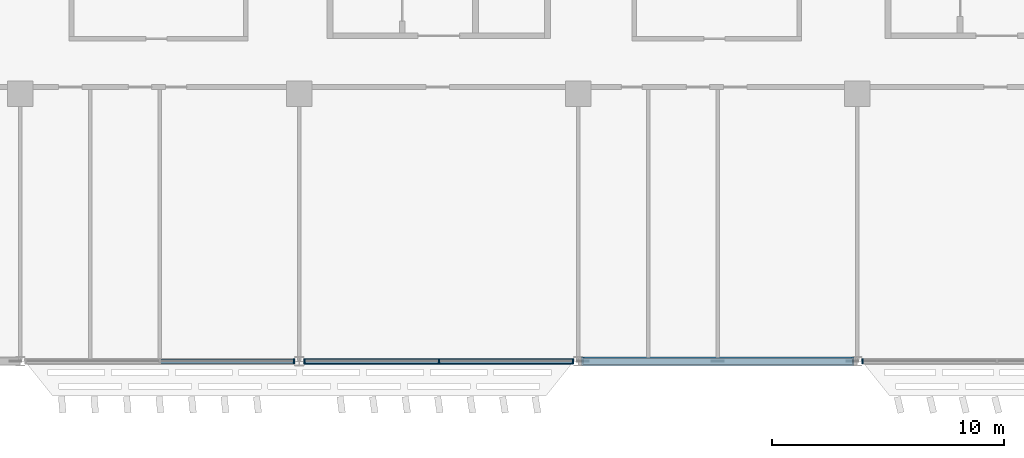
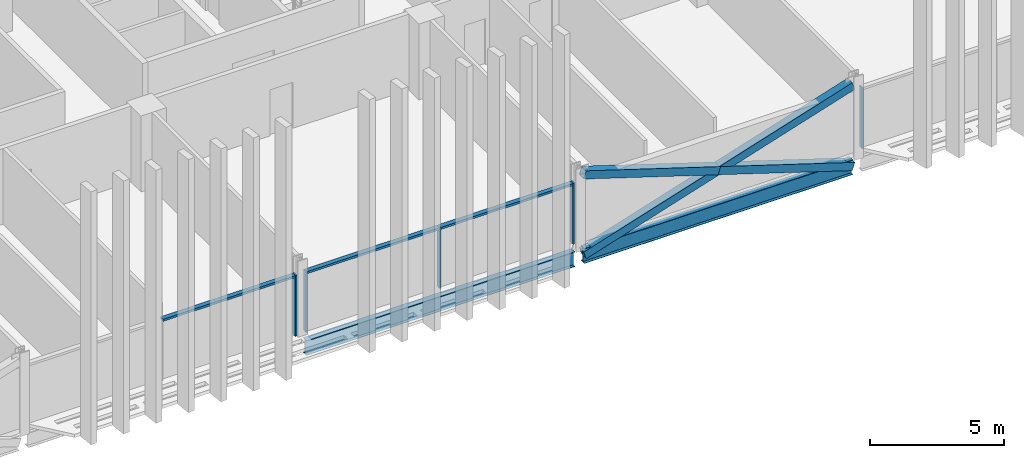
# One storey, part 6 of 30: 11 members, 2 beams, 3 elements without a shape of their own.
"""IFC4 building model written with IfcOpenShell, lengths in metres."""

from ifc_helpers import new_model, si_unit, direction, frame, origin, origin_2d, place, context, subcontext, project, spatial, rectangle, hollow_rectangle, i_section, extrude, material, material_profile, profile_set, type_object, element, aggregate, save


model = new_model("IFC4")

# Units and contexts
model_context = context("Model", 3, precision=1e-05, world=origin(), true_north=direction((0.0, 1.0)))
body_context = subcontext(model_context, "Body", "Model", "MODEL_VIEW")
ifc_project = project(units=[si_unit("LENGTHUNIT", "METRE"), si_unit("AREAUNIT", "SQUARE_METRE"), si_unit("VOLUMEUNIT", "CUBIC_METRE"), si_unit("PLANEANGLEUNIT", "RADIAN"), si_unit("MASSUNIT", "GRAM", prefix="KILO")], contexts=[model_context])

# Site, building, storey
site_placement = place(None, origin())
site = spatial("IfcSite", under=ifc_project, at=site_placement, CompositionType="ELEMENT")
building_placement = place(site_placement, origin())
building = spatial("IfcBuilding", under=site, at=building_placement, Name="Mahtab Terrace Research Tower", CompositionType="ELEMENT")
storey_placement = place(building_placement, frame((0.0, 0.0, 209.10009765625)))
storey = spatial("IfcBuildingStorey", under=building, at=storey_placement, Name="L50", CompositionType="ELEMENT", Elevation=209.10009765625)

# Members
ifc_material_1 = material(Name="Steel ASTM A500 Gr C", Category="steel")
ifc_material_profile_1 = material_profile(ifc_material_1, hollow_rectangle(XDim=0.355712890625, YDim=0.355712890625, WallThickness=0.015869140625, at=origin_2d()), Name="HSS14X14X5/8")
ifc_profile_set_1 = profile_set([ifc_material_profile_1], Name="Steel ASTM A500 Gr C")
member_type_1 = type_object("IfcMemberType", Name="HSS 14x14x5/8 brace XB141458", PredefinedType="BRACE", material=ifc_profile_set_1)
member_1_placement = place(storey_placement, frame((6.20068359375, -23.0, -0.61572265625), z_axis=(0.953337604941, 0.0, 0.301906295073), x_axis=(0.0, 1.0, 0.0)))
element("IfcMember", 1, at=member_1_placement, inside=storey, type_object=member_type_1, Name="Exoskeleton brace L50 17 a", PredefinedType="BRACE", context=body_context, shape_type="SweptSolid", body=[
    extrude(hollow_rectangle(XDim=0.355712890625, YDim=0.355712890625, WallThickness=0.015869140625, at=origin_2d()), origin(), (0.0, 0.0, 1.0), 12.166259765625),
])
for number, where, z_axis, x_axis, name in (
    (2, (17.79931640625, -23.0, -0.61572265625), (-0.953343380425, 0.0, 0.301888057067), (0.0, -1.0, 0.0), "Exoskeleton brace L50 17 b1"),
    (3, (12.0, -23.0, 1.220703125), (-0.953331829178, 0.0, 0.301924532749), (0.0, -1.0, 0.0), "Exoskeleton brace L50 17 b2"),
):
    element("IfcMember", number, at=place(storey_placement, frame(where, z_axis=z_axis, x_axis=x_axis)), inside=storey, type_object=member_type_1, Name=name, PredefinedType="BRACE", context=body_context, shape_type="SweptSolid", body=[
        extrude(hollow_rectangle(XDim=0.355712890625, YDim=0.355712890625, WallThickness=0.015869140625, at=origin_2d()), origin(), (0.0, 0.0, 1.0), 6.083251953125),
    ])

# Curtain wall, member
ifc_material_2 = material(Name="Laboratory ribbon curtain wall")
curtain_wall_type = type_object("IfcCurtainWallType", Name="Laboratory ribbon curtain wall", PredefinedType="NOTDEFINED", material=ifc_material_2)
curtain_wall_1_placement = place(storey_placement, origin())
curtain_wall_1 = element("IfcCurtainWall", 4, at=curtain_wall_1_placement, inside=storey, type_object=curtain_wall_type, Name="EN.L50.13.25", PredefinedType="NOTDEFINED")
ifc_material_3 = material(Name="Natural anodised aluminium", Category="aluminium")
ifc_material_profile_2 = material_profile(ifc_material_3, rectangle(XDim=0.199951171875, YDim=0.06494140625, at=origin_2d()), Name="MULLION 65x200")
ifc_profile_set_2 = profile_set([ifc_material_profile_2], Name="Natural anodised aluminium")
member_type_2 = type_object("IfcMemberType", Name="Laboratory ribbon curtain wall mullion", PredefinedType="MULLION", material=ifc_profile_set_2)
member_2_placement = place(storey_placement, frame((-6.232421875, -23.0, 0.0), z_axis=(0.0, 0.0, 1.0), x_axis=(0.0, 1.0, 0.0)))
member_2 = element("IfcMember", 5, at=member_2_placement, type_object=member_type_2, Name="CWL-6 mullion 3", PredefinedType="MULLION", context=body_context, shape_type="SweptSolid", body=[
    extrude(rectangle(XDim=0.199951171875, YDim=0.06494140625, at=origin_2d()), origin(), (0.0, 0.0, 1.0), 2.78173828125),
])

# Curtain wall, members
curtain_wall_2_placement = place(storey_placement, origin())
curtain_wall_2 = element("IfcCurtainWall", 6, at=curtain_wall_2_placement, inside=storey, type_object=curtain_wall_type, Name="EN.L50.13.26", PredefinedType="NOTDEFINED")
member_3_placement = place(storey_placement, frame((-5.767578125, -23.0, 0.0), z_axis=(0.0, 0.0, 1.0), x_axis=(0.0, 1.0, 0.0)))
member_3 = element("IfcMember", 7, at=member_3_placement, type_object=member_type_2, Name="CWL-6 mullion 1", PredefinedType="MULLION", context=body_context, shape_type="SweptSolid", body=[
    extrude(rectangle(XDim=0.199951171875, YDim=0.06494140625, at=origin_2d()), origin(), (0.0, 0.0, 1.0), 2.78173828125),
])
member_4_placement = place(storey_placement, frame((0.0, -23.0, 0.0), z_axis=(0.0, 0.0, 1.0), x_axis=(0.0, 1.0, 0.0)))
member_4 = element("IfcMember", 8, at=member_4_placement, type_object=member_type_2, Name="CWL-6 mullion 2", PredefinedType="MULLION", context=body_context, shape_type="SweptSolid", body=[
    extrude(rectangle(XDim=0.199951171875, YDim=0.06494140625, at=origin_2d()), origin(), (0.0, 0.0, 1.0), 2.78173828125),
])
member_5_placement = place(storey_placement, frame((5.767578125, -23.0, 0.0), z_axis=(0.0, 0.0, 1.0), x_axis=(0.0, 1.0, 0.0)))
member_5 = element("IfcMember", 9, at=member_5_placement, type_object=member_type_2, Name="CWL-6 mullion 3", PredefinedType="MULLION", context=body_context, shape_type="SweptSolid", body=[
    extrude(rectangle(XDim=0.199951171875, YDim=0.06494140625, at=origin_2d()), origin(), (0.0, 0.0, 1.0), 2.78173828125),
])

# Curtain wall, member
curtain_wall_3_placement = place(storey_placement, origin())
curtain_wall_3 = element("IfcCurtainWall", 10, at=curtain_wall_3_placement, inside=storey, type_object=curtain_wall_type, Name="EN.L50.13.28", PredefinedType="NOTDEFINED")
member_6_placement = place(storey_placement, frame((18.232421875, -23.0, 0.0), z_axis=(0.0, 0.0, 1.0), x_axis=(0.0, 1.0, 0.0)))
member_6 = element("IfcMember", 11, at=member_6_placement, type_object=member_type_2, Name="CWL-6 mullion 1", PredefinedType="MULLION", context=body_context, shape_type="SweptSolid", body=[
    extrude(rectangle(XDim=0.199951171875, YDim=0.06494140625, at=origin_2d()), origin(), (0.0, 0.0, 1.0), 2.78173828125),
])
aggregate(curtain_wall_3, [member_6])

# Member
ifc_material_profile_3 = material_profile(ifc_material_3, rectangle(XDim=0.199951171875, YDim=0.10009765625, at=origin_2d()), Name="TRANSOM 100x200")
ifc_profile_set_3 = profile_set([ifc_material_profile_3], Name="Natural anodised aluminium")
member_type_3 = type_object("IfcMemberType", Name="Laboratory ribbon curtain wall transom", PredefinedType="USERDEFINED", material=ifc_profile_set_3)
member_7_placement = place(storey_placement, frame((-11.967529296875, -23.0, 2.731689453125), z_axis=(1.0, 0.0, 0.0), x_axis=(0.0, 1.0, 0.0)))
member_7 = element("IfcMember", 12, at=member_7_placement, type_object=member_type_3, Name="CWL-6 transom 2", ObjectType="TRANSOM", PredefinedType="USERDEFINED", context=body_context, shape_type="SweptSolid", body=[
    extrude(rectangle(XDim=0.199951171875, YDim=0.10009765625, at=origin_2d()), origin(), (0.0, 0.0, 1.0), 5.70263671875),
])

aggregate(curtain_wall_1, [member_2, member_7])

member_8_placement = place(storey_placement, frame((-5.735107421875, -23.0, 2.731689453125), z_axis=(1.0, 0.0, 0.0), x_axis=(0.0, 1.0, 0.0)))
member_8 = element("IfcMember", 13, at=member_8_placement, type_object=member_type_3, Name="CWL-6 transom 1", ObjectType="TRANSOM", PredefinedType="USERDEFINED", context=body_context, shape_type="SweptSolid", body=[
    extrude(rectangle(XDim=0.199951171875, YDim=0.10009765625, at=origin_2d()), origin(), (0.0, 0.0, 1.0), 5.70263671875),
])

member_9_placement = place(storey_placement, frame((0.032470703125, -23.0, 2.731689453125), z_axis=(1.0, 0.0, 0.0), x_axis=(0.0, 1.0, 0.0)))
member_9 = element("IfcMember", 14, at=member_9_placement, type_object=member_type_3, Name="CWL-6 transom 2", ObjectType="TRANSOM", PredefinedType="USERDEFINED", context=body_context, shape_type="SweptSolid", body=[
    extrude(rectangle(XDim=0.199951171875, YDim=0.10009765625, at=origin_2d()), origin(), (0.0, 0.0, 1.0), 5.70263671875),
])

aggregate(curtain_wall_2, [member_3, member_4, member_5, member_8, member_9])

# Beams
ifc_material_4 = material(Name="Steel ASTM A992 Gr 50", Category="steel")
ifc_material_profile_4 = material_profile(ifc_material_4, i_section(OverallWidth=0.25390625, OverallDepth=0.67822265625, WebThickness=0.01171875, FlangeThickness=0.016357421875, at=origin_2d()), Name="W27X84")
ifc_profile_set_4 = profile_set([ifc_material_profile_4], Name="Steel ASTM A992 Gr 50")
beam_type = type_object("IfcBeamType", Name="W27x84 beam BS2784", PredefinedType="BEAM", material=ifc_profile_set_4)
for number, where, z_axis, x_axis, name in (
    (15, (-5.79931640625, -23.0, -0.67919921875), (1.0, 0.0, 0.0), (0.0, 1.0, 0.0), "Spandrel beam L50 16"),
    (16, (6.20068359375, -23.0, -0.67919921875), (1.0, 0.0, 0.0), (0.0, 1.0, 0.0), "Spandrel beam L50 17"),
):
    element("IfcBeam", number, at=place(storey_placement, frame(where, z_axis=z_axis, x_axis=x_axis)), inside=storey, type_object=beam_type, Name=name, PredefinedType="BEAM", context=body_context, shape_type="SweptSolid", body=[
        extrude(i_section(OverallWidth=0.25390625, OverallDepth=0.67822265625, WebThickness=0.01171875, FlangeThickness=0.016357421875, at=origin_2d()), origin(), (0.0, 0.0, 1.0), 11.5986328125),
    ])

save(model, "model.ifc")
